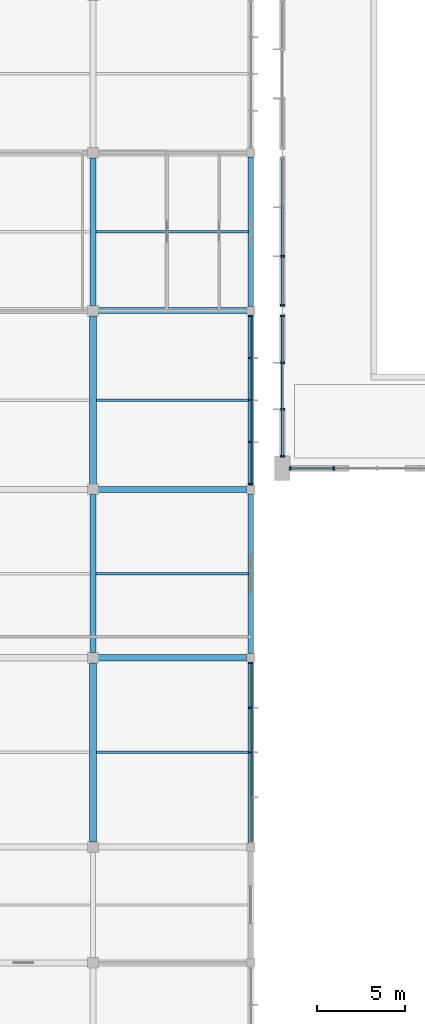
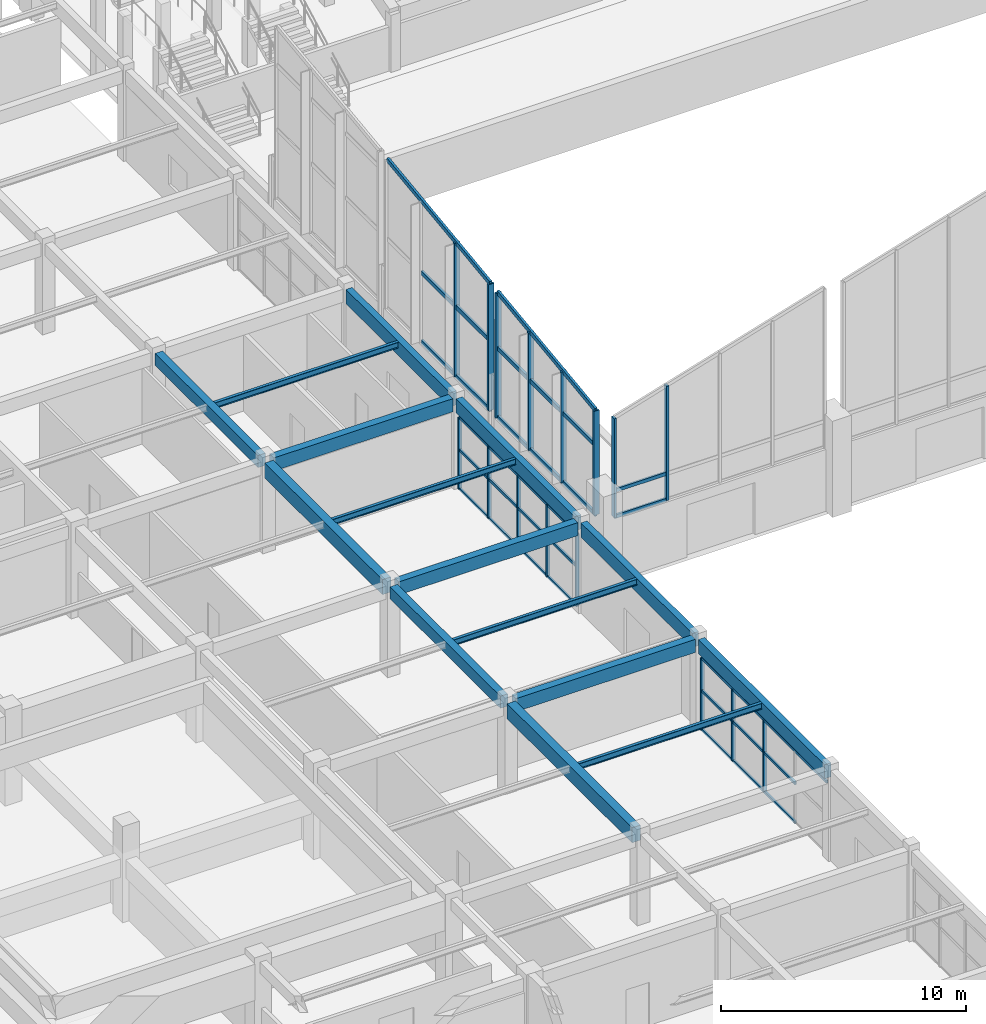
# One storey, part 20 of 82: 46 members, 15 beams, 5 elements without a shape of their own.
"""IFC4 building model written with IfcOpenShell, lengths in metres."""

from ifc_helpers import new_model, si_unit, direction, frame, origin, origin_2d, place, context, subcontext, project, spatial, rectangle, i_section, extrude, material, material_profile, profile_set, type_object, element, aggregate, save


model = new_model("IFC4")

# Units and contexts
model_context = context("Model", 3, precision=1e-05, world=origin(), true_north=direction((0.0, 1.0)))
body_context = subcontext(model_context, "Body", "Model", "MODEL_VIEW")
ifc_project = project(units=[si_unit("LENGTHUNIT", "METRE"), si_unit("AREAUNIT", "SQUARE_METRE"), si_unit("VOLUMEUNIT", "CUBIC_METRE"), si_unit("PLANEANGLEUNIT", "RADIAN"), si_unit("MASSUNIT", "GRAM", prefix="KILO")], contexts=[model_context])

# Site, building, storey
site_placement = place(None, origin())
site = spatial("IfcSite", under=ifc_project, at=site_placement, CompositionType="ELEMENT")
building_placement = place(site_placement, origin())
building = spatial("IfcBuilding", under=site, at=building_placement, Name="Suirenkawa Promenade Aquatics Centre", CompositionType="ELEMENT")
storey_placement = place(building_placement, origin())
storey = spatial("IfcBuildingStorey", under=building, at=storey_placement, Name="L00", CompositionType="ELEMENT", Elevation=0.0)

# Beams
ifc_material_1 = material(Name="Steel IS 2062 E350 (Grade 350)", Category="steel")
ifc_material_profile_1 = material_profile(ifc_material_1, i_section(OverallWidth=0.139892578125, OverallDepth=0.300048828125, WebThickness=0.008056640625, FlangeThickness=0.012939453125, at=origin_2d()), Name="ISMB 300", Category="steel")
ifc_profile_set_1 = profile_set([ifc_material_profile_1], Name="Steel IS 2062 E350 (Grade 350)")
beam_type_1 = type_object("IfcBeamType", Name="BT-JOIST-ISMB300", PredefinedType="JOIST", material=ifc_profile_set_1)
beam_1_placement = place(storey_placement, frame((36.194091796875, 34.199951171875, 4.347900390625), z_axis=(1.0, 0.0, 0.0), x_axis=(0.0, 1.0, 0.0)))
element("IfcBeam", 1, at=beam_1_placement, inside=storey, type_object=beam_type_1, Name="Secondary floor joist JS-02 BM-0377", PredefinedType="JOIST", context=body_context, shape_type="SweptSolid", body=[
    extrude(i_section(OverallWidth=0.139892578125, OverallDepth=0.300048828125, WebThickness=0.008056640625, FlangeThickness=0.012939453125, at=origin_2d()), origin(), (0.0, 0.0, 1.0), 8.661865234375),
])
beam_2_placement = place(storey_placement, frame((36.1689453125, 44.39990234375, 4.347900390625), z_axis=(1.0, 0.0, 0.0), x_axis=(0.0, 1.0, 0.0)))
element("IfcBeam", 2, at=beam_2_placement, inside=storey, type_object=beam_type_1, Name="Secondary floor joist JS-02 BM-0378", PredefinedType="JOIST", context=body_context, shape_type="SweptSolid", body=[
    extrude(i_section(OverallWidth=0.139892578125, OverallDepth=0.300048828125, WebThickness=0.008056640625, FlangeThickness=0.012939453125, at=origin_2d()), origin(), (0.0, 0.0, 1.0), 8.68701171875),
])
beam_3_placement = place(storey_placement, frame((36.194091796875, 54.300048828125, 4.347900390625), z_axis=(1.0, 0.0, 0.0), x_axis=(0.0, 1.0, 0.0)))
element("IfcBeam", 3, at=beam_3_placement, inside=storey, type_object=beam_type_1, Name="Secondary floor joist JS-02 BM-0379", PredefinedType="JOIST", context=body_context, shape_type="SweptSolid", body=[
    extrude(i_section(OverallWidth=0.139892578125, OverallDepth=0.300048828125, WebThickness=0.008056640625, FlangeThickness=0.012939453125, at=origin_2d()), origin(), (0.0, 0.0, 1.0), 8.661865234375),
])
beam_4_placement = place(storey_placement, frame((36.1689453125, 63.89990234375, 4.347900390625), z_axis=(1.0, 0.0, 0.0), x_axis=(0.0, 1.0, 0.0)))
element("IfcBeam", 4, at=beam_4_placement, inside=storey, type_object=beam_type_1, Name="Secondary floor joist JS-02 BM-0380", PredefinedType="JOIST", context=body_context, shape_type="SweptSolid", body=[
    extrude(i_section(OverallWidth=0.139892578125, OverallDepth=0.300048828125, WebThickness=0.008056640625, FlangeThickness=0.012939453125, at=origin_2d()), origin(), (0.0, 0.0, 1.0), 8.68701171875),
])
ifc_material_2 = material(Name="Concrete M35", Category="concrete")
ifc_material_profile_2 = material_profile(ifc_material_2, rectangle(XDim=0.35009765625, YDim=0.60009765625, at=origin_2d()), Name="RC BM 350x600", Category="concrete")
ifc_profile_set_2 = profile_set([ifc_material_profile_2], Name="Concrete M35")
beam_type_2 = type_object("IfcBeamType", Name="BT-RC-350x600", PredefinedType="BEAM", material=ifc_profile_set_2)
beam_5_placement = place(storey_placement, frame((36.0, 39.89404296875, 4.199951171875), z_axis=(0.0, 1.0, 0.0), x_axis=(-1.0, 0.0, 0.0)))
element("IfcBeam", 5, at=beam_5_placement, inside=storey, type_object=beam_type_2, Name="Floor beam BM-02 BM-0312", PredefinedType="BEAM", context=body_context, shape_type="SweptSolid", body=[
    extrude(rectangle(XDim=0.35009765625, YDim=0.60009765625, at=origin_2d()), origin(), (0.0, 0.0, 1.0), 9.011962890625),
])
beam_6_placement = place(storey_placement, frame((36.0, 59.694091796875, 4.199951171875), z_axis=(0.0, 1.0, 0.0), x_axis=(-1.0, 0.0, 0.0)))
element("IfcBeam", 6, at=beam_6_placement, inside=storey, type_object=beam_type_2, Name="Floor beam BM-02 BM-0314", PredefinedType="BEAM", context=body_context, shape_type="SweptSolid", body=[
    extrude(rectangle(XDim=0.35009765625, YDim=0.60009765625, at=origin_2d()), origin(), (0.0, 0.0, 1.0), 8.411865234375),
])
ifc_material_profile_3 = material_profile(ifc_material_2, rectangle(XDim=0.35009765625, YDim=0.64990234375, at=origin_2d()), Name="RC BM 350x650", Category="concrete")
ifc_profile_set_3 = profile_set([ifc_material_profile_3], Name="Concrete M35")
beam_type_3 = type_object("IfcBeamType", Name="BT-RC-350x650", PredefinedType="BEAM", material=ifc_profile_set_3)
for number, where, z_axis, x_axis, name in (
    (7, (36.2939453125, 39.60009765625, 4.175048828125), (1.0, 0.0, 0.0), (0.0, 1.0, 0.0), "Floor beam BM-03 BM-0221"),
    (8, (36.2939453125, 49.199951171875, 4.175048828125), (1.0, 0.0, 0.0), (0.0, 1.0, 0.0), "Floor beam BM-03 BM-0226"),
    (9, (36.2939453125, 59.39990234375, 4.175048828125), (1.0, 0.0, 0.0), (0.0, 1.0, 0.0), "Floor beam BM-03 BM-0231"),
):
    element("IfcBeam", number, at=place(storey_placement, frame(where, z_axis=z_axis, x_axis=x_axis)), inside=storey, type_object=beam_type_3, Name=name, PredefinedType="BEAM", context=body_context, shape_type="SweptSolid", body=[
        extrude(rectangle(XDim=0.35009765625, YDim=0.64990234375, at=origin_2d()), origin(), (0.0, 0.0, 1.0), 8.462158203125),
    ])
ifc_material_3 = material(Name="Concrete M40", Category="concrete")
ifc_material_profile_4 = material_profile(ifc_material_3, rectangle(XDim=0.39990234375, YDim=0.75, at=origin_2d()), Name="RC BM 400x750", Category="concrete")
ifc_profile_set_4 = profile_set([ifc_material_profile_4], Name="Concrete M40")
beam_type_4 = type_object("IfcBeamType", Name="BT-RC-400x750", PredefinedType="BEAM", material=ifc_profile_set_4)
beam_7_placement = place(storey_placement, frame((36.0, 29.093994140625, 4.125), z_axis=(0.0, 1.0, 0.0), x_axis=(-1.0, 0.0, 0.0)))
element("IfcBeam", 10, at=beam_7_placement, inside=storey, type_object=beam_type_4, Name="Floor beam BM-05 BM-0311", PredefinedType="BEAM", context=body_context, shape_type="SweptSolid", body=[
    extrude(rectangle(XDim=0.39990234375, YDim=0.75, at=origin_2d()), origin(), (0.0, 0.0, 1.0), 10.2119140625),
])
beam_8_placement = place(storey_placement, frame((36.0, 49.493896484375, 4.125), z_axis=(0.0, 1.0, 0.0), x_axis=(-1.0, 0.0, 0.0)))
element("IfcBeam", 11, at=beam_8_placement, inside=storey, type_object=beam_type_4, Name="Floor beam BM-05 BM-0313", PredefinedType="BEAM", context=body_context, shape_type="SweptSolid", body=[
    extrude(rectangle(XDim=0.39990234375, YDim=0.75, at=origin_2d()), origin(), (0.0, 0.0, 1.0), 9.612060546875),
])
ifc_material_profile_5 = material_profile(ifc_material_3, rectangle(XDim=0.300048828125, YDim=0.699951171875, at=origin_2d()), Name="RC SPANDREL 300x700", Category="concrete")
ifc_profile_set_5 = profile_set([ifc_material_profile_5], Name="Concrete M40")
beam_type_5 = type_object("IfcBeamType", Name="BT-SPANDREL-300x700", PredefinedType="SPANDREL", material=ifc_profile_set_5)
beam_9_placement = place(storey_placement, frame((45.0, 29.0439453125, 4.14990234375), z_axis=(0.0, 1.0, 0.0), x_axis=(-1.0, 0.0, 0.0)))
element("IfcBeam", 12, at=beam_9_placement, inside=storey, type_object=beam_type_5, Name="Floor beam SP-01 BM-0323", PredefinedType="SPANDREL", context=body_context, shape_type="SweptSolid", body=[
    extrude(rectangle(XDim=0.300048828125, YDim=0.699951171875, at=origin_2d()), origin(), (0.0, 0.0, 1.0), 10.31201171875),
])
beam_10_placement = place(storey_placement, frame((45.0, 39.843994140625, 4.14990234375), z_axis=(0.0, 1.0, 0.0), x_axis=(-1.0, 0.0, 0.0)))
element("IfcBeam", 13, at=beam_10_placement, inside=storey, type_object=beam_type_5, Name="Floor beam SP-01 BM-0324", PredefinedType="SPANDREL", context=body_context, shape_type="SweptSolid", body=[
    extrude(rectangle(XDim=0.300048828125, YDim=0.699951171875, at=origin_2d()), origin(), (0.0, 0.0, 1.0), 9.112060546875),
])
beam_11_placement = place(storey_placement, frame((45.0, 49.444091796875, 4.14990234375), z_axis=(0.0, 1.0, 0.0), x_axis=(-1.0, 0.0, 0.0)))
element("IfcBeam", 14, at=beam_11_placement, inside=storey, type_object=beam_type_5, Name="Floor beam SP-01 BM-0325", PredefinedType="SPANDREL", context=body_context, shape_type="SweptSolid", body=[
    extrude(rectangle(XDim=0.300048828125, YDim=0.699951171875, at=origin_2d()), origin(), (0.0, 0.0, 1.0), 9.7119140625),
])
beam_12_placement = place(storey_placement, frame((45.0, 59.64404296875, 4.14990234375), z_axis=(0.0, 1.0, 0.0), x_axis=(-1.0, 0.0, 0.0)))
element("IfcBeam", 15, at=beam_12_placement, inside=storey, type_object=beam_type_5, Name="Floor beam SP-01 BM-0326", PredefinedType="SPANDREL", context=body_context, shape_type="SweptSolid", body=[
    extrude(rectangle(XDim=0.300048828125, YDim=0.699951171875, at=origin_2d()), origin(), (0.0, 0.0, 1.0), 8.511962890625),
])

# Curtain wall, members
ifc_material_4 = material(Name="Anodised aluminium 6063-T6", Category="aluminium")
curtain_wall_type_1 = type_object("IfcCurtainWallType", Name="CWAT-V5EL00-46", PredefinedType="NOTDEFINED", material=ifc_material_4)
curtain_wall_1_placement = place(storey_placement, origin())
curtain_wall_1 = element("IfcCurtainWall", 16, at=curtain_wall_1_placement, inside=storey, type_object=curtain_wall_type_1, Name="Curtain wall CWA-46 CW-089", PredefinedType="NOTDEFINED")
ifc_material_profile_6 = material_profile(ifc_material_4, rectangle(XDim=0.090087890625, YDim=0.159912109375, at=origin_2d()), Name="ALU MULL 90x160", Category="aluminium")
ifc_profile_set_6 = profile_set([ifc_material_profile_6], Name="Anodised aluminium 6063-T6")
member_type_1 = type_object("IfcMemberType", Name="CWM-160x90", PredefinedType="MULLION", material=ifc_profile_set_6)
member_1_placement = place(storey_placement, frame((45.0, 39.301025390625, 0.0), z_axis=(0.0, 0.0, 1.0), x_axis=(0.0, -1.0, 0.0)))
member_1 = element("IfcMember", 17, at=member_1_placement, type_object=member_type_1, Name="Mullion ML-03 CWM-01752", PredefinedType="MULLION", context=body_context, shape_type="SweptSolid", body=[
    extrude(rectangle(XDim=0.090087890625, YDim=0.159912109375, at=origin_2d()), origin(), (0.0, 0.0, 1.0), 3.570068359375),
])
member_2_placement = place(storey_placement, frame((45.0, 36.75048828125, 0.0), z_axis=(0.0, 0.0, 1.0), x_axis=(0.0, -1.0, 0.0)))
member_2 = element("IfcMember", 18, at=member_2_placement, type_object=member_type_1, Name="Mullion ML-03 CWM-01753", PredefinedType="MULLION", context=body_context, shape_type="SweptSolid", body=[
    extrude(rectangle(XDim=0.090087890625, YDim=0.159912109375, at=origin_2d()), origin(), (0.0, 0.0, 1.0), 3.570068359375),
])
member_3_placement = place(storey_placement, frame((45.0, 34.199951171875, 0.0), z_axis=(0.0, 0.0, 1.0), x_axis=(0.0, -1.0, 0.0)))
member_3 = element("IfcMember", 19, at=member_3_placement, type_object=member_type_1, Name="Mullion ML-03 CWM-01754", PredefinedType="MULLION", context=body_context, shape_type="SweptSolid", body=[
    extrude(rectangle(XDim=0.090087890625, YDim=0.159912109375, at=origin_2d()), origin(), (0.0, 0.0, 1.0), 3.570068359375),
])

curtain_wall_type_2 = type_object("IfcCurtainWallType", Name="CWAT-V5EL00-48", PredefinedType="NOTDEFINED", material=ifc_material_4)
curtain_wall_2_placement = place(storey_placement, origin())
curtain_wall_2 = element("IfcCurtainWall", 20, at=curtain_wall_2_placement, inside=storey, type_object=curtain_wall_type_2, Name="Curtain wall CWA-48 CW-091", PredefinedType="NOTDEFINED")
member_4_placement = place(storey_placement, frame((45.0, 59.10107421875, 0.0), z_axis=(0.0, 0.0, 1.0), x_axis=(0.0, -1.0, 0.0)))
member_4 = element("IfcMember", 21, at=member_4_placement, type_object=member_type_1, Name="Mullion ML-03 CWM-01796", PredefinedType="MULLION", context=body_context, shape_type="SweptSolid", body=[
    extrude(rectangle(XDim=0.090087890625, YDim=0.159912109375, at=origin_2d()), origin(), (0.0, 0.0, 1.0), 3.570068359375),
])
member_5_placement = place(storey_placement, frame((45.0, 56.700439453125, 0.0), z_axis=(0.0, 0.0, 1.0), x_axis=(0.0, -1.0, 0.0)))
member_5 = element("IfcMember", 22, at=member_5_placement, type_object=member_type_1, Name="Mullion ML-03 CWM-01797", PredefinedType="MULLION", context=body_context, shape_type="SweptSolid", body=[
    extrude(rectangle(XDim=0.090087890625, YDim=0.159912109375, at=origin_2d()), origin(), (0.0, 0.0, 1.0), 3.570068359375),
])
member_6_placement = place(storey_placement, frame((45.0, 54.300048828125, 0.0), z_axis=(0.0, 0.0, 1.0), x_axis=(0.0, -1.0, 0.0)))
member_6 = element("IfcMember", 23, at=member_6_placement, type_object=member_type_1, Name="Mullion ML-03 CWM-01798", PredefinedType="MULLION", context=body_context, shape_type="SweptSolid", body=[
    extrude(rectangle(XDim=0.090087890625, YDim=0.159912109375, at=origin_2d()), origin(), (0.0, 0.0, 1.0), 3.570068359375),
])
member_7_placement = place(storey_placement, frame((45.0, 51.8994140625, 0.0), z_axis=(0.0, 0.0, 1.0), x_axis=(0.0, -1.0, 0.0)))
member_7 = element("IfcMember", 24, at=member_7_placement, type_object=member_type_1, Name="Mullion ML-03 CWM-01799", PredefinedType="MULLION", context=body_context, shape_type="SweptSolid", body=[
    extrude(rectangle(XDim=0.090087890625, YDim=0.159912109375, at=origin_2d()), origin(), (0.0, 0.0, 1.0), 3.570068359375),
])
member_8_placement = place(storey_placement, frame((45.0, 49.4990234375, 0.0), z_axis=(0.0, 0.0, 1.0), x_axis=(0.0, -1.0, 0.0)))
member_8 = element("IfcMember", 25, at=member_8_placement, type_object=member_type_1, Name="Mullion ML-03 CWM-01800", PredefinedType="MULLION", context=body_context, shape_type="SweptSolid", body=[
    extrude(rectangle(XDim=0.090087890625, YDim=0.159912109375, at=origin_2d()), origin(), (0.0, 0.0, 1.0), 3.570068359375),
])

curtain_wall_type_3 = type_object("IfcCurtainWallType", Name="CWAT-CLERS-05", PredefinedType="NOTDEFINED", material=ifc_material_4)
curtain_wall_3_placement = place(storey_placement, origin())
curtain_wall_3 = element("IfcCurtainWall", 26, at=curtain_wall_3_placement, inside=storey, type_object=curtain_wall_type_3, Name="Curtain wall CWA-05 CW-009", PredefinedType="NOTDEFINED")
ifc_material_profile_7 = material_profile(ifc_material_4, rectangle(XDim=0.10009765625, YDim=0.219970703125, at=origin_2d()), Name="ALU MULL 100x220", Category="aluminium")
ifc_profile_set_7 = profile_set([ifc_material_profile_7], Name="Anodised aluminium 6063-T6")
member_type_2 = type_object("IfcMemberType", Name="CWM-220x100", PredefinedType="MULLION", material=ifc_profile_set_7)
member_9_placement = place(storey_placement, frame((49.724609375, 50.39990234375, 3.10009765625), z_axis=(0.0, 0.0, 1.0), x_axis=(-1.0, 0.0, 0.0)))
member_9 = element("IfcMember", 27, at=member_9_placement, type_object=member_type_2, Name="Mullion ML-01 CWM-00208", PredefinedType="MULLION", context=body_context, shape_type="SweptSolid", body=[
    extrude(rectangle(XDim=0.10009765625, YDim=0.219970703125, at=origin_2d()), origin(), (0.0, 0.0, 1.0), 5.699951171875),
])
member_10_placement = place(storey_placement, frame((47.2490234375, 50.39990234375, 3.10009765625), z_axis=(0.0, 0.0, 1.0), x_axis=(-1.0, 0.0, 0.0)))
member_10 = element("IfcMember", 28, at=member_10_placement, type_object=member_type_2, Name="Mullion ML-01 CWM-00209", PredefinedType="MULLION", context=body_context, shape_type="SweptSolid", body=[
    extrude(rectangle(XDim=0.10009765625, YDim=0.219970703125, at=origin_2d()), origin(), (0.0, 0.0, 1.0), 4.949951171875),
])

curtain_wall_type_4 = type_object("IfcCurtainWallType", Name="CWAT-GABLEV1-01", PredefinedType="NOTDEFINED", material=ifc_material_4)
curtain_wall_4_placement = place(storey_placement, origin())
curtain_wall_4 = element("IfcCurtainWall", 29, at=curtain_wall_4_placement, inside=storey, type_object=curtain_wall_type_4, Name="Curtain wall CWA-01 CW-001", PredefinedType="NOTDEFINED")
ifc_material_profile_8 = material_profile(ifc_material_4, rectangle(XDim=0.110107421875, YDim=0.260009765625, at=origin_2d()), Name="ALU MULL 110x260", Category="aluminium")
ifc_profile_set_8 = profile_set([ifc_material_profile_8], Name="Anodised aluminium 6063-T6")
member_type_3 = type_object("IfcMemberType", Name="CWM-260x110", PredefinedType="MULLION", material=ifc_profile_set_8)
member_11_placement = place(storey_placement, frame((46.800048828125, 51.09912109375, 2.949951171875), z_axis=(0.0, 0.0, 1.0), x_axis=(0.0, 1.0, 0.0)))
member_11 = element("IfcMember", 30, at=member_11_placement, type_object=member_type_3, Name="Mullion ML-04 CWM-00001", PredefinedType="MULLION", context=body_context, shape_type="SweptSolid", body=[
    extrude(rectangle(XDim=0.110107421875, YDim=0.260009765625, at=origin_2d()), origin(), (0.0, 0.0, 1.0), 5.190185546875),
])
member_12_placement = place(storey_placement, frame((46.800048828125, 53.766357421875, 2.949951171875), z_axis=(0.0, 0.0, 1.0), x_axis=(0.0, 1.0, 0.0)))
member_12 = element("IfcMember", 31, at=member_12_placement, type_object=member_type_3, Name="Mullion ML-04 CWM-00002", PredefinedType="MULLION", context=body_context, shape_type="SweptSolid", body=[
    extrude(rectangle(XDim=0.110107421875, YDim=0.260009765625, at=origin_2d()), origin(), (0.0, 0.0, 1.0), 5.533935546875),
])
member_13_placement = place(storey_placement, frame((46.800048828125, 56.43359375, 2.949951171875), z_axis=(0.0, 0.0, 1.0), x_axis=(0.0, 1.0, 0.0)))
member_13 = element("IfcMember", 32, at=member_13_placement, type_object=member_type_3, Name="Mullion ML-04 CWM-00003", PredefinedType="MULLION", context=body_context, shape_type="SweptSolid", body=[
    extrude(rectangle(XDim=0.110107421875, YDim=0.260009765625, at=origin_2d()), origin(), (0.0, 0.0, 1.0), 5.877685546875),
])
member_14_placement = place(storey_placement, frame((46.800048828125, 59.10107421875, 2.949951171875), z_axis=(0.0, 0.0, 1.0), x_axis=(0.0, 1.0, 0.0)))
member_14 = element("IfcMember", 33, at=member_14_placement, type_object=member_type_3, Name="Mullion ML-04 CWM-00004", PredefinedType="MULLION", context=body_context, shape_type="SweptSolid", body=[
    extrude(rectangle(XDim=0.110107421875, YDim=0.260009765625, at=origin_2d()), origin(), (0.0, 0.0, 1.0), 6.221435546875),
])

curtain_wall_type_5 = type_object("IfcCurtainWallType", Name="CWAT-GABLEV1-02", PredefinedType="NOTDEFINED", material=ifc_material_4)
curtain_wall_5_placement = place(storey_placement, origin())
curtain_wall_5 = element("IfcCurtainWall", 34, at=curtain_wall_5_placement, inside=storey, type_object=curtain_wall_type_5, Name="Curtain wall CWA-02 CW-002", PredefinedType="NOTDEFINED")
member_15_placement = place(storey_placement, frame((46.800048828125, 59.698974609375, 2.949951171875), z_axis=(0.0, 0.0, 1.0), x_axis=(0.0, 1.0, 0.0)))
member_15 = element("IfcMember", 35, at=member_15_placement, type_object=member_type_3, Name="Mullion ML-04 CWM-00018", PredefinedType="MULLION", context=body_context, shape_type="SweptSolid", body=[
    extrude(rectangle(XDim=0.110107421875, YDim=0.260009765625, at=origin_2d()), origin(), (0.0, 0.0, 1.0), 6.298583984375),
])
member_16_placement = place(storey_placement, frame((46.800048828125, 62.499755859375, 2.949951171875), z_axis=(0.0, 0.0, 1.0), x_axis=(0.0, 1.0, 0.0)))
member_16 = element("IfcMember", 36, at=member_16_placement, type_object=member_type_3, Name="Mullion ML-04 CWM-00019", PredefinedType="MULLION", context=body_context, shape_type="SweptSolid", body=[
    extrude(rectangle(XDim=0.110107421875, YDim=0.260009765625, at=origin_2d()), origin(), (0.0, 0.0, 1.0), 6.65966796875),
])

# Member
ifc_material_profile_9 = material_profile(ifc_material_4, rectangle(XDim=0.090087890625, YDim=0.1298828125, at=origin_2d()), Name="ALU TRAN 90x130", Category="aluminium")
ifc_profile_set_9 = profile_set([ifc_material_profile_9], Name="Anodised aluminium 6063-T6")
member_type_4 = type_object("IfcMemberType", Name="CWT-130x90", PredefinedType="USERDEFINED", material=ifc_profile_set_9)
member_17_placement = place(storey_placement, frame((45.0, 39.301025390625, 0.0), z_axis=(0.0, -1.0, 0.0), x_axis=(1.0, 0.0, 0.0)))
member_17 = element("IfcMember", 37, at=member_17_placement, type_object=member_type_4, Name="Transom TR-03 CWT-01757", ObjectType="TRANSOM", PredefinedType="USERDEFINED", context=body_context, shape_type="SweptSolid", body=[
    extrude(rectangle(XDim=0.090087890625, YDim=0.1298828125, at=origin_2d()), origin(), (0.0, 0.0, 1.0), 2.550537109375),
])

member_18_placement = place(storey_placement, frame((45.0, 36.75048828125, 0.0), z_axis=(0.0, -1.0, 0.0), x_axis=(1.0, 0.0, 0.0)))
member_18 = element("IfcMember", 38, at=member_18_placement, type_object=member_type_4, Name="Transom TR-03 CWT-01758", ObjectType="TRANSOM", PredefinedType="USERDEFINED", context=body_context, shape_type="SweptSolid", body=[
    extrude(rectangle(XDim=0.090087890625, YDim=0.1298828125, at=origin_2d()), origin(), (0.0, 0.0, 1.0), 2.550537109375),
])

member_19_placement = place(storey_placement, frame((45.0, 34.199951171875, 0.0), z_axis=(0.0, -1.0, 0.0), x_axis=(1.0, 0.0, 0.0)))
member_19 = element("IfcMember", 39, at=member_19_placement, type_object=member_type_4, Name="Transom TR-03 CWT-01759", ObjectType="TRANSOM", PredefinedType="USERDEFINED", context=body_context, shape_type="SweptSolid", body=[
    extrude(rectangle(XDim=0.090087890625, YDim=0.1298828125, at=origin_2d()), origin(), (0.0, 0.0, 1.0), 2.550537109375),
])

member_20_placement = place(storey_placement, frame((45.0, 39.301025390625, 1.949951171875), z_axis=(0.0, -1.0, 0.0), x_axis=(1.0, 0.0, 0.0)))
member_20 = element("IfcMember", 40, at=member_20_placement, type_object=member_type_4, Name="Transom TR-03 CWT-01761", ObjectType="TRANSOM", PredefinedType="USERDEFINED", context=body_context, shape_type="SweptSolid", body=[
    extrude(rectangle(XDim=0.090087890625, YDim=0.1298828125, at=origin_2d()), origin(), (0.0, 0.0, 1.0), 2.550537109375),
])

member_21_placement = place(storey_placement, frame((45.0, 36.75048828125, 1.949951171875), z_axis=(0.0, -1.0, 0.0), x_axis=(1.0, 0.0, 0.0)))
member_21 = element("IfcMember", 41, at=member_21_placement, type_object=member_type_4, Name="Transom TR-03 CWT-01762", ObjectType="TRANSOM", PredefinedType="USERDEFINED", context=body_context, shape_type="SweptSolid", body=[
    extrude(rectangle(XDim=0.090087890625, YDim=0.1298828125, at=origin_2d()), origin(), (0.0, 0.0, 1.0), 2.550537109375),
])

member_22_placement = place(storey_placement, frame((45.0, 34.199951171875, 1.949951171875), z_axis=(0.0, -1.0, 0.0), x_axis=(1.0, 0.0, 0.0)))
member_22 = element("IfcMember", 42, at=member_22_placement, type_object=member_type_4, Name="Transom TR-03 CWT-01763", ObjectType="TRANSOM", PredefinedType="USERDEFINED", context=body_context, shape_type="SweptSolid", body=[
    extrude(rectangle(XDim=0.090087890625, YDim=0.1298828125, at=origin_2d()), origin(), (0.0, 0.0, 1.0), 2.550537109375),
])

member_23_placement = place(storey_placement, frame((45.0, 39.301025390625, 3.570068359375), z_axis=(0.0, -1.0, 0.0), x_axis=(1.0, 0.0, 0.0)))
member_23 = element("IfcMember", 43, at=member_23_placement, type_object=member_type_4, Name="Roofline transom TR-03 CWT-01765", ObjectType="TRANSOM", PredefinedType="USERDEFINED", context=body_context, shape_type="SweptSolid", body=[
    extrude(rectangle(XDim=0.090087890625, YDim=0.1298828125, at=origin_2d()), origin(), (0.0, 0.0, 1.0), 10.201904296875),
])

aggregate(curtain_wall_1, [member_1, member_2, member_3, member_17, member_18, member_19, member_20, member_21, member_22, member_23])

member_24_placement = place(storey_placement, frame((45.0, 59.10107421875, 0.0), z_axis=(0.0, -1.0, 0.0), x_axis=(1.0, 0.0, 0.0)))
member_24 = element("IfcMember", 44, at=member_24_placement, type_object=member_type_4, Name="Transom TR-03 CWT-01801", ObjectType="TRANSOM", PredefinedType="USERDEFINED", context=body_context, shape_type="SweptSolid", body=[
    extrude(rectangle(XDim=0.090087890625, YDim=0.1298828125, at=origin_2d()), origin(), (0.0, 0.0, 1.0), 2.400634765625),
])

member_25_placement = place(storey_placement, frame((45.0, 56.700439453125, 0.0), z_axis=(0.0, -1.0, 0.0), x_axis=(1.0, 0.0, 0.0)))
member_25 = element("IfcMember", 45, at=member_25_placement, type_object=member_type_4, Name="Transom TR-03 CWT-01802", ObjectType="TRANSOM", PredefinedType="USERDEFINED", context=body_context, shape_type="SweptSolid", body=[
    extrude(rectangle(XDim=0.090087890625, YDim=0.1298828125, at=origin_2d()), origin(), (0.0, 0.0, 1.0), 2.400390625),
])

member_26_placement = place(storey_placement, frame((45.0, 54.300048828125, 0.0), z_axis=(0.0, -1.0, 0.0), x_axis=(1.0, 0.0, 0.0)))
member_26 = element("IfcMember", 46, at=member_26_placement, type_object=member_type_4, Name="Transom TR-03 CWT-01803", ObjectType="TRANSOM", PredefinedType="USERDEFINED", context=body_context, shape_type="SweptSolid", body=[
    extrude(rectangle(XDim=0.090087890625, YDim=0.1298828125, at=origin_2d()), origin(), (0.0, 0.0, 1.0), 2.400634765625),
])

member_27_placement = place(storey_placement, frame((45.0, 51.8994140625, 0.0), z_axis=(0.0, -1.0, 0.0), x_axis=(1.0, 0.0, 0.0)))
member_27 = element("IfcMember", 47, at=member_27_placement, type_object=member_type_4, Name="Transom TR-03 CWT-01804", ObjectType="TRANSOM", PredefinedType="USERDEFINED", context=body_context, shape_type="SweptSolid", body=[
    extrude(rectangle(XDim=0.090087890625, YDim=0.1298828125, at=origin_2d()), origin(), (0.0, 0.0, 1.0), 2.400390625),
])

member_28_placement = place(storey_placement, frame((45.0, 59.10107421875, 1.949951171875), z_axis=(0.0, -1.0, 0.0), x_axis=(1.0, 0.0, 0.0)))
member_28 = element("IfcMember", 48, at=member_28_placement, type_object=member_type_4, Name="Transom TR-03 CWT-01805", ObjectType="TRANSOM", PredefinedType="USERDEFINED", context=body_context, shape_type="SweptSolid", body=[
    extrude(rectangle(XDim=0.090087890625, YDim=0.1298828125, at=origin_2d()), origin(), (0.0, 0.0, 1.0), 2.400634765625),
])

member_29_placement = place(storey_placement, frame((45.0, 56.700439453125, 1.949951171875), z_axis=(0.0, -1.0, 0.0), x_axis=(1.0, 0.0, 0.0)))
member_29 = element("IfcMember", 49, at=member_29_placement, type_object=member_type_4, Name="Transom TR-03 CWT-01806", ObjectType="TRANSOM", PredefinedType="USERDEFINED", context=body_context, shape_type="SweptSolid", body=[
    extrude(rectangle(XDim=0.090087890625, YDim=0.1298828125, at=origin_2d()), origin(), (0.0, 0.0, 1.0), 2.400390625),
])

member_30_placement = place(storey_placement, frame((45.0, 54.300048828125, 1.949951171875), z_axis=(0.0, -1.0, 0.0), x_axis=(1.0, 0.0, 0.0)))
member_30 = element("IfcMember", 50, at=member_30_placement, type_object=member_type_4, Name="Transom TR-03 CWT-01807", ObjectType="TRANSOM", PredefinedType="USERDEFINED", context=body_context, shape_type="SweptSolid", body=[
    extrude(rectangle(XDim=0.090087890625, YDim=0.1298828125, at=origin_2d()), origin(), (0.0, 0.0, 1.0), 2.400634765625),
])

member_31_placement = place(storey_placement, frame((45.0, 51.8994140625, 1.949951171875), z_axis=(0.0, -1.0, 0.0), x_axis=(1.0, 0.0, 0.0)))
member_31 = element("IfcMember", 51, at=member_31_placement, type_object=member_type_4, Name="Transom TR-03 CWT-01808", ObjectType="TRANSOM", PredefinedType="USERDEFINED", context=body_context, shape_type="SweptSolid", body=[
    extrude(rectangle(XDim=0.090087890625, YDim=0.1298828125, at=origin_2d()), origin(), (0.0, 0.0, 1.0), 2.400390625),
])

member_32_placement = place(storey_placement, frame((45.0, 59.10107421875, 3.570068359375), z_axis=(0.0, -1.0, 0.0), x_axis=(1.0, 0.0, 0.0)))
member_32 = element("IfcMember", 52, at=member_32_placement, type_object=member_type_4, Name="Roofline transom TR-03 CWT-01809", ObjectType="TRANSOM", PredefinedType="USERDEFINED", context=body_context, shape_type="SweptSolid", body=[
    extrude(rectangle(XDim=0.090087890625, YDim=0.1298828125, at=origin_2d()), origin(), (0.0, 0.0, 1.0), 9.60205078125),
])

aggregate(curtain_wall_2, [member_4, member_5, member_6, member_7, member_8, member_24, member_25, member_26, member_27, member_28, member_29, member_30, member_31, member_32])

ifc_material_profile_10 = material_profile(ifc_material_4, rectangle(XDim=0.10009765625, YDim=0.169921875, at=origin_2d()), Name="ALU TRAN 100x170", Category="aluminium")
ifc_profile_set_10 = profile_set([ifc_material_profile_10], Name="Anodised aluminium 6063-T6")
member_type_5 = type_object("IfcMemberType", Name="CWT-170x100", PredefinedType="USERDEFINED", material=ifc_profile_set_10)
member_33_placement = place(storey_placement, frame((49.724609375, 50.39990234375, 3.10009765625), z_axis=(-1.0, 0.0, 0.0), x_axis=(0.0, -1.0, 0.0)))
member_33 = element("IfcMember", 53, at=member_33_placement, type_object=member_type_5, Name="Transom TR-01 CWT-00213", ObjectType="TRANSOM", PredefinedType="USERDEFINED", context=body_context, shape_type="SweptSolid", body=[
    extrude(rectangle(XDim=0.10009765625, YDim=0.169921875, at=origin_2d()), origin(), (0.0, 0.0, 1.0), 2.4755859375),
])

member_34_placement = place(storey_placement, frame((49.724609375, 50.39990234375, 4.39990234375), z_axis=(-1.0, 0.0, 0.0), x_axis=(0.0, -1.0, 0.0)))
member_34 = element("IfcMember", 54, at=member_34_placement, type_object=member_type_5, Name="Transom TR-01 CWT-00217", ObjectType="TRANSOM", PredefinedType="USERDEFINED", context=body_context, shape_type="SweptSolid", body=[
    extrude(rectangle(XDim=0.10009765625, YDim=0.169921875, at=origin_2d()), origin(), (0.0, 0.0, 1.0), 2.4755859375),
])

aggregate(curtain_wall_3, [member_9, member_10, member_33, member_34])

ifc_material_profile_11 = material_profile(ifc_material_4, rectangle(XDim=0.110107421875, YDim=0.2099609375, at=origin_2d()), Name="ALU TRAN 110x210", Category="aluminium")
ifc_profile_set_11 = profile_set([ifc_material_profile_11], Name="Anodised aluminium 6063-T6")
member_type_6 = type_object("IfcMemberType", Name="CWT-210x110", PredefinedType="USERDEFINED", material=ifc_profile_set_11)
member_35_placement = place(storey_placement, frame((46.800048828125, 51.09912109375, 2.949951171875), z_axis=(0.0, 1.0, 0.0), x_axis=(-1.0, 0.0, 0.0)))
member_35 = element("IfcMember", 55, at=member_35_placement, type_object=member_type_6, Name="Transom TR-04 CWT-00005", ObjectType="TRANSOM", PredefinedType="USERDEFINED", context=body_context, shape_type="SweptSolid", body=[
    extrude(rectangle(XDim=0.110107421875, YDim=0.2099609375, at=origin_2d()), origin(), (0.0, 0.0, 1.0), 2.667236328125),
])

member_36_placement = place(storey_placement, frame((46.800048828125, 53.766357421875, 2.949951171875), z_axis=(0.0, 1.0, 0.0), x_axis=(-1.0, 0.0, 0.0)))
member_36 = element("IfcMember", 56, at=member_36_placement, type_object=member_type_6, Name="Transom TR-04 CWT-00006", ObjectType="TRANSOM", PredefinedType="USERDEFINED", context=body_context, shape_type="SweptSolid", body=[
    extrude(rectangle(XDim=0.110107421875, YDim=0.2099609375, at=origin_2d()), origin(), (0.0, 0.0, 1.0), 2.667236328125),
])

member_37_placement = place(storey_placement, frame((46.800048828125, 56.43359375, 2.949951171875), z_axis=(0.0, 1.0, 0.0), x_axis=(-1.0, 0.0, 0.0)))
member_37 = element("IfcMember", 57, at=member_37_placement, type_object=member_type_6, Name="Transom TR-04 CWT-00007", ObjectType="TRANSOM", PredefinedType="USERDEFINED", context=body_context, shape_type="SweptSolid", body=[
    extrude(rectangle(XDim=0.110107421875, YDim=0.2099609375, at=origin_2d()), origin(), (0.0, 0.0, 1.0), 2.66748046875),
])

member_38_placement = place(storey_placement, frame((46.800048828125, 51.09912109375, 6.39990234375), z_axis=(0.0, 1.0, 0.0), x_axis=(-1.0, 0.0, 0.0)))
member_38 = element("IfcMember", 58, at=member_38_placement, type_object=member_type_6, Name="Transom TR-04 CWT-00008", ObjectType="TRANSOM", PredefinedType="USERDEFINED", context=body_context, shape_type="SweptSolid", body=[
    extrude(rectangle(XDim=0.110107421875, YDim=0.2099609375, at=origin_2d()), origin(), (0.0, 0.0, 1.0), 2.667236328125),
])

member_39_placement = place(storey_placement, frame((46.800048828125, 53.766357421875, 6.39990234375), z_axis=(0.0, 1.0, 0.0), x_axis=(-1.0, 0.0, 0.0)))
member_39 = element("IfcMember", 59, at=member_39_placement, type_object=member_type_6, Name="Transom TR-04 CWT-00009", ObjectType="TRANSOM", PredefinedType="USERDEFINED", context=body_context, shape_type="SweptSolid", body=[
    extrude(rectangle(XDim=0.110107421875, YDim=0.2099609375, at=origin_2d()), origin(), (0.0, 0.0, 1.0), 2.667236328125),
])

member_40_placement = place(storey_placement, frame((46.800048828125, 56.43359375, 6.39990234375), z_axis=(0.0, 1.0, 0.0), x_axis=(-1.0, 0.0, 0.0)))
member_40 = element("IfcMember", 60, at=member_40_placement, type_object=member_type_6, Name="Transom TR-04 CWT-00010", ObjectType="TRANSOM", PredefinedType="USERDEFINED", context=body_context, shape_type="SweptSolid", body=[
    extrude(rectangle(XDim=0.110107421875, YDim=0.2099609375, at=origin_2d()), origin(), (0.0, 0.0, 1.0), 2.66748046875),
])

member_41_placement = place(storey_placement, frame((46.800048828125, 51.09912109375, 8.14013671875), z_axis=(0.0, 0.991797676968, 0.1278177138), x_axis=(-1.0, 0.0, 0.0)))
member_41 = element("IfcMember", 61, at=member_41_placement, type_object=member_type_6, Name="Roofline transom TR-04 CWT-00011", ObjectType="TRANSOM", PredefinedType="USERDEFINED", context=body_context, shape_type="SweptSolid", body=[
    extrude(rectangle(XDim=0.110107421875, YDim=0.2099609375, at=origin_2d()), origin(), (0.0, 0.0, 1.0), 8.068115234375),
])

aggregate(curtain_wall_4, [member_11, member_12, member_13, member_14, member_35, member_36, member_37, member_38, member_39, member_40, member_41])

member_42_placement = place(storey_placement, frame((46.800048828125, 59.698974609375, 2.949951171875), z_axis=(0.0, 1.0, 0.0), x_axis=(-1.0, 0.0, 0.0)))
member_42 = element("IfcMember", 62, at=member_42_placement, type_object=member_type_6, Name="Transom TR-04 CWT-00022", ObjectType="TRANSOM", PredefinedType="USERDEFINED", context=body_context, shape_type="SweptSolid", body=[
    extrude(rectangle(XDim=0.110107421875, YDim=0.2099609375, at=origin_2d()), origin(), (0.0, 0.0, 1.0), 2.80078125),
])

member_43_placement = place(storey_placement, frame((46.800048828125, 62.499755859375, 2.949951171875), z_axis=(0.0, 1.0, 0.0), x_axis=(-1.0, 0.0, 0.0)))
member_43 = element("IfcMember", 63, at=member_43_placement, type_object=member_type_6, Name="Transom TR-04 CWT-00023", ObjectType="TRANSOM", PredefinedType="USERDEFINED", context=body_context, shape_type="SweptSolid", body=[
    extrude(rectangle(XDim=0.110107421875, YDim=0.2099609375, at=origin_2d()), origin(), (0.0, 0.0, 1.0), 2.800537109375),
])

member_44_placement = place(storey_placement, frame((46.800048828125, 59.698974609375, 6.39990234375), z_axis=(0.0, 1.0, 0.0), x_axis=(-1.0, 0.0, 0.0)))
member_44 = element("IfcMember", 64, at=member_44_placement, type_object=member_type_6, Name="Transom TR-04 CWT-00025", ObjectType="TRANSOM", PredefinedType="USERDEFINED", context=body_context, shape_type="SweptSolid", body=[
    extrude(rectangle(XDim=0.110107421875, YDim=0.2099609375, at=origin_2d()), origin(), (0.0, 0.0, 1.0), 2.80078125),
])

member_45_placement = place(storey_placement, frame((46.800048828125, 62.499755859375, 6.39990234375), z_axis=(0.0, 1.0, 0.0), x_axis=(-1.0, 0.0, 0.0)))
member_45 = element("IfcMember", 65, at=member_45_placement, type_object=member_type_6, Name="Transom TR-04 CWT-00026", ObjectType="TRANSOM", PredefinedType="USERDEFINED", context=body_context, shape_type="SweptSolid", body=[
    extrude(rectangle(XDim=0.110107421875, YDim=0.2099609375, at=origin_2d()), origin(), (0.0, 0.0, 1.0), 2.800537109375),
])

member_46_placement = place(storey_placement, frame((46.800048828125, 59.698974609375, 9.24853515625), z_axis=(0.0, 0.99179484823, 0.12783966139), x_axis=(-1.0, 0.0, 0.0)))
member_46 = element("IfcMember", 66, at=member_46_placement, type_object=member_type_6, Name="Roofline transom TR-04 CWT-00028", ObjectType="TRANSOM", PredefinedType="USERDEFINED", context=body_context, shape_type="SweptSolid", body=[
    extrude(rectangle(XDim=0.110107421875, YDim=0.2099609375, at=origin_2d()), origin(), (0.0, 0.0, 1.0), 8.4716796875),
])

aggregate(curtain_wall_5, [member_15, member_16, member_42, member_43, member_44, member_45, member_46])

save(model, "model.ifc")
